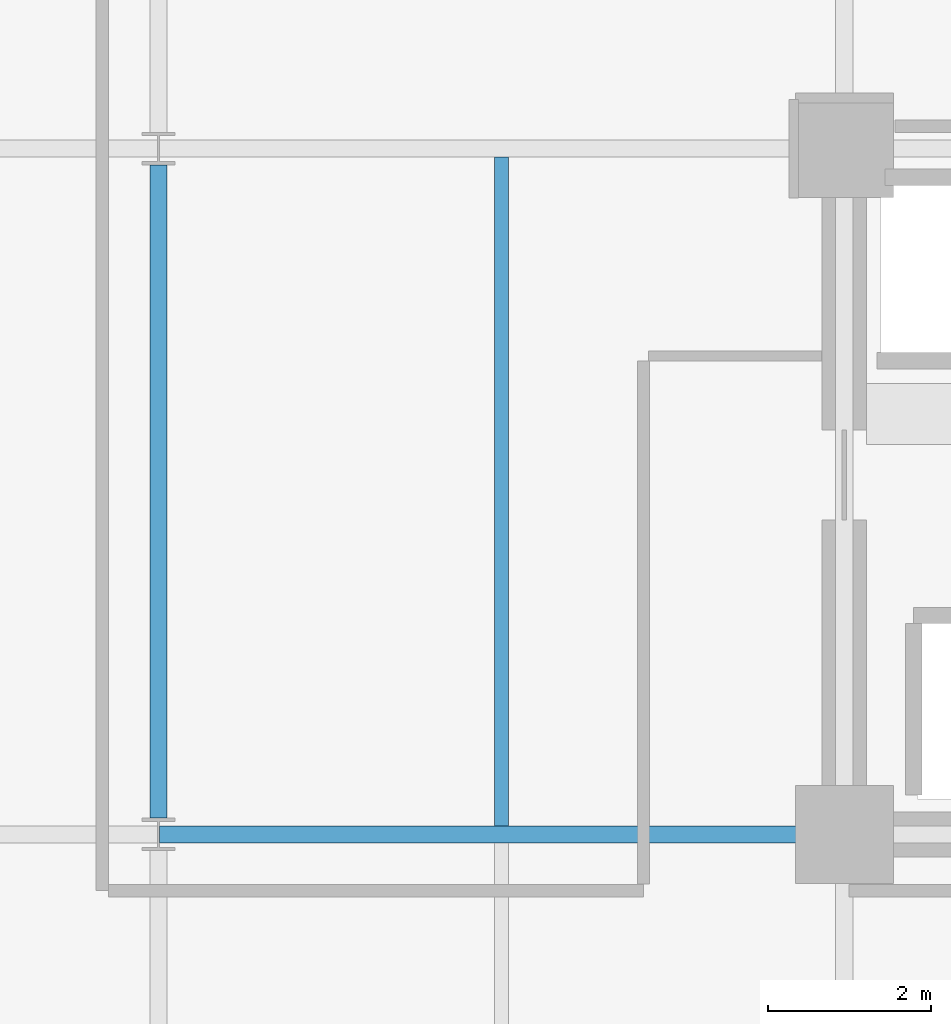
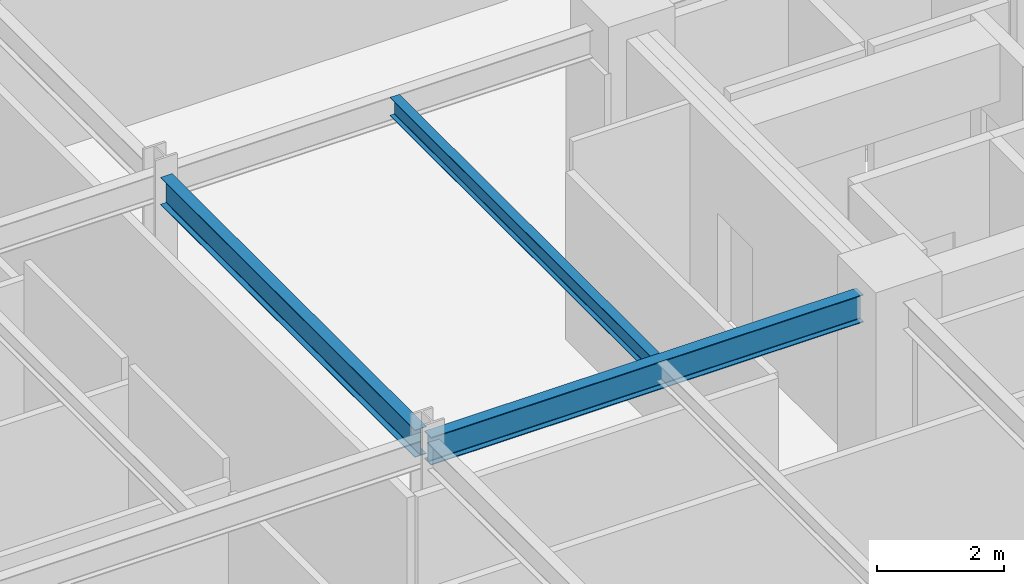
# One storey, part 7 of 40: 3 beams.
"""IFC4 building model written with IfcOpenShell, lengths in metres."""

from ifc_helpers import new_model, si_unit, direction, frame, origin, origin_2d, place, context, subcontext, project, spatial, i_section, extrude, material, material_profile, profile_set, type_object, element, save


model = new_model("IFC4")

# Units and contexts
model_context = context("Model", 3, precision=1e-05, world=origin(), true_north=direction((0.0, 1.0)))
body_context = subcontext(model_context, "Body", "Model", "MODEL_VIEW")
ifc_project = project(units=[si_unit("LENGTHUNIT", "METRE"), si_unit("AREAUNIT", "SQUARE_METRE"), si_unit("VOLUMEUNIT", "CUBIC_METRE"), si_unit("PLANEANGLEUNIT", "RADIAN"), si_unit("MASSUNIT", "GRAM", prefix="KILO")], contexts=[model_context])

# Site, building, storey
site_placement = place(None, origin())
site = spatial("IfcSite", under=ifc_project, at=site_placement, CompositionType="ELEMENT")
building_placement = place(site_placement, origin())
building = spatial("IfcBuilding", under=site, at=building_placement, Name="Nerrivon Quay Data Exchange", CompositionType="ELEMENT")
storey_placement = place(building_placement, frame((0.0, 0.0, 109.0)))
storey = spatial("IfcBuildingStorey", under=building, at=storey_placement, Name="L25", CompositionType="ELEMENT", Elevation=109.0)

# Beams
ifc_material = material(Name="Steel Grade 350", Category="steel")
ifc_material_profile_1 = material_profile(ifc_material, i_section(OverallWidth=0.208984375, OverallDepth=0.532958984375, WebThickness=0.01025390625, FlangeThickness=0.015625, FilletRadius=0.013916015625, at=origin_2d()), Name="530UB92.4")
ifc_profile_set_1 = profile_set([ifc_material_profile_1], Name="Steel Grade 350")
beam_type_1 = type_object("IfcBeamType", Name="BM-G3-530UB92", PredefinedType="BEAM", material=ifc_profile_set_1)
beam_1_placement = place(storey_placement, frame((8.41259765625, 8.39990234375, 3.4833984375), z_axis=(1.0, 0.0, 0.0), x_axis=(0.0, 1.0, 0.0)))
element("IfcBeam", 1, at=beam_1_placement, inside=storey, type_object=beam_type_1, Name="L25 EW Girder Y=8.4 (8.4..16.8)", PredefinedType="BEAM", context=body_context, shape_type="SweptSolid", body=[
    extrude(i_section(OverallWidth=0.208984375, OverallDepth=0.532958984375, WebThickness=0.01025390625, FlangeThickness=0.015625, FilletRadius=0.013916015625, at=origin_2d()), origin(), (0.0, 0.0, 1.0), 7.847412109375),
])
ifc_material_profile_2 = material_profile(ifc_material, i_section(OverallWidth=0.208984375, OverallDepth=0.528076171875, WebThickness=0.009521484375, FlangeThickness=0.01318359375, FilletRadius=0.013916015625, at=origin_2d()), Name="530UB82.0")
ifc_profile_set_2 = profile_set([ifc_material_profile_2], Name="Steel Grade 350")
beam_type_2 = type_object("IfcBeamType", Name="BM-G4-530UB82", PredefinedType="BEAM", material=ifc_profile_set_2)
beam_2_placement = place(storey_placement, frame((8.39990234375, 8.60009765625, 3.486083984375), z_axis=(0.0, 1.0, 0.0), x_axis=(-1.0, 0.0, 0.0)))
element("IfcBeam", 2, at=beam_2_placement, inside=storey, type_object=beam_type_2, Name="L25 NS Girder X=8.4 (8.4..16.8)", PredefinedType="BEAM", context=body_context, shape_type="SweptSolid", body=[
    extrude(i_section(OverallWidth=0.208984375, OverallDepth=0.528076171875, WebThickness=0.009521484375, FlangeThickness=0.01318359375, FilletRadius=0.013916015625, at=origin_2d()), origin(), (0.0, 0.0, 1.0), 8.0),
])
ifc_material_profile_3 = material_profile(ifc_material, i_section(OverallWidth=0.1708984375, OverallDepth=0.35595703125, WebThickness=0.00732421875, FlangeThickness=0.011474609375, FilletRadius=0.011474609375, at=origin_2d()), Name="360UB50.7")
ifc_profile_set_3 = profile_set([ifc_material_profile_3], Name="Steel Grade 350")
beam_type_3 = type_object("IfcBeamType", Name="BM-J4-360UB51", PredefinedType="JOIST", material=ifc_profile_set_3)
beam_3_placement = place(storey_placement, frame((12.60009765625, 8.50439453125, 3.572021484375), z_axis=(0.0, 1.0, 0.0), x_axis=(-1.0, 0.0, 0.0)))
element("IfcBeam", 3, at=beam_3_placement, inside=storey, type_object=beam_type_3, Name="L25 Secondary Joist X=12.6 (8.4..16.8)", PredefinedType="JOIST", context=body_context, shape_type="SweptSolid", body=[
    extrude(i_section(OverallWidth=0.1708984375, OverallDepth=0.35595703125, WebThickness=0.00732421875, FlangeThickness=0.011474609375, FilletRadius=0.011474609375, at=origin_2d()), origin(), (0.0, 0.0, 1.0), 8.191162109375),
])

save(model, "model.ifc")
